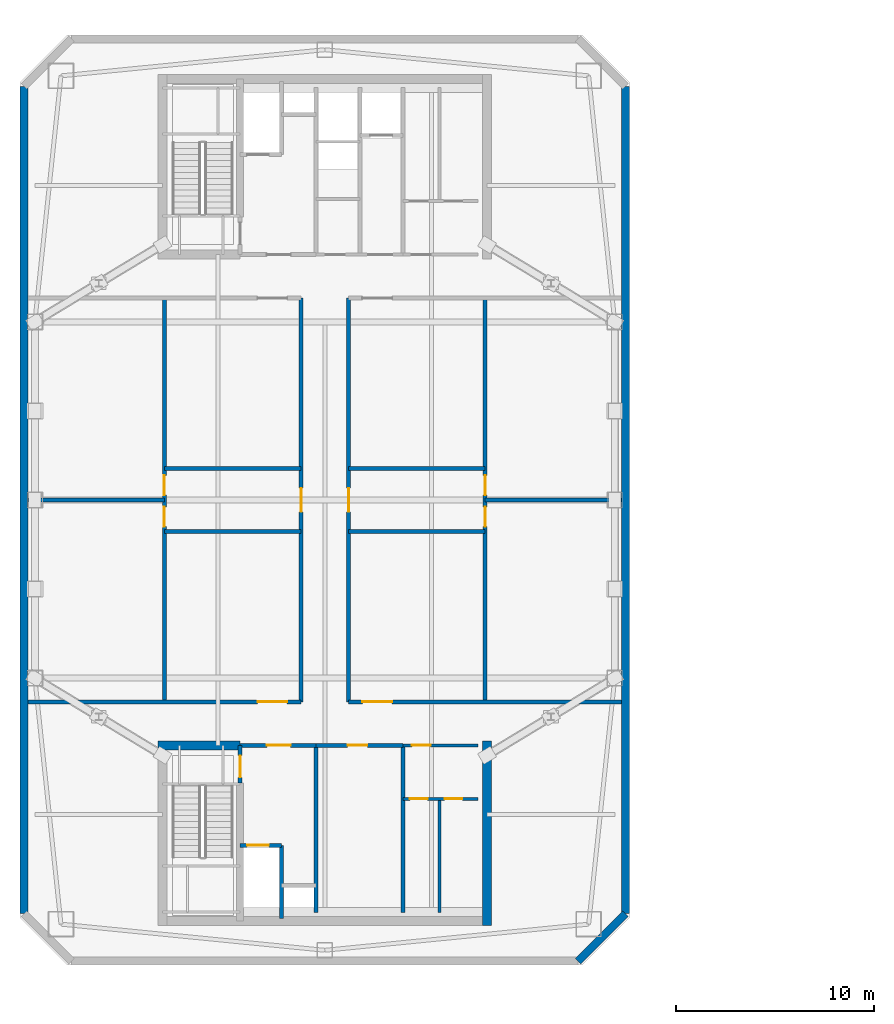
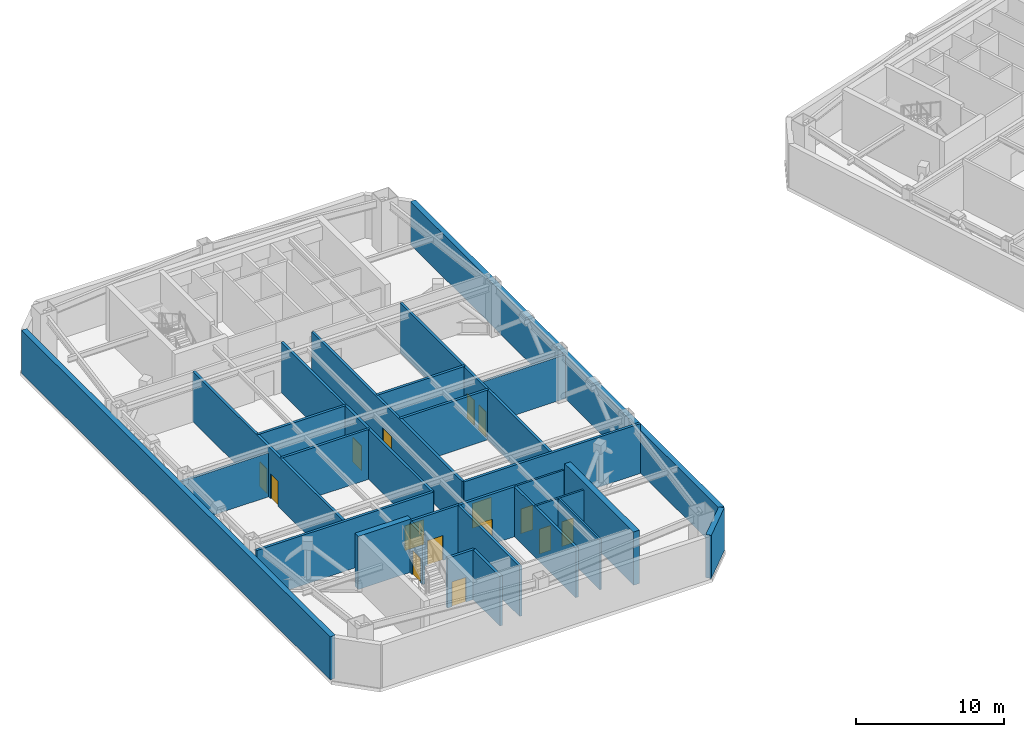
# One storey, part 10 of 17: 27 walls, 15 doors, 15 openings.
"""IFC4 building model written with IfcOpenShell, lengths in metres."""

import ifcopenshell
import ifcopenshell.guid

model = None  # the IFC model being written
_history = None  # IfcOwnerHistory: only IFC2X3 demands one
_inside = {}  # id of a spatial element -> (the spatial element, [elements in it])
_under = {}  # id of a project, library or spatial element -> (it, [spatial elements below it])
_declared = {}  # id of a project -> (the project, [libraries it declares])
_typed = {}  # id of a type object -> (the type object, [elements of that type])
_made_of = {}  # id of a material, layer set ... -> (it, [elements and type objects made of it])


def new_model(schema):
    """Start an empty IFC model of exactly this schema.

    Asked for "IFC4X3", IfcOpenShell would pick the latest addendum, in which some entities
    have other attributes; the version numbers below select the first issue.
    IFC2X3 requires an IfcOwnerHistory on every rooted entity: one is made here for all.
    """
    global model, _history
    if schema == "IFC4X3":
        model = ifcopenshell.file(schema_version=(4, 3, 0, 0))
    else:
        model = ifcopenshell.file(schema=schema)
    _inside.clear()
    _under.clear()
    _declared.clear()
    _typed.clear()
    _made_of.clear()
    _history = None
    if model.schema == "IFC2X3":
        org = make("IfcOrganization", Name="unknown")
        user = make(
            "IfcPersonAndOrganization",
            ThePerson=make("IfcPerson", FamilyName="unknown"),
            TheOrganization=org,
        )
        app = make(
            "IfcApplication",
            ApplicationDeveloper=org,
            Version="unknown",
            ApplicationFullName="unknown",
            ApplicationIdentifier="unknown",
        )
        _history = make(
            "IfcOwnerHistory",
            OwningUser=user,
            OwningApplication=app,
            ChangeAction="ADDED",
            CreationDate=0,
        )
    return model


def make(cls, **values):
    """One entity of the class cls with the attributes given. An attribute that is None is left unset."""
    return model.create_entity(
        cls, **{name: value for name, value in values.items() if value is not None}
    )


def rooted(cls, **values):
    """An entity with a GlobalId (a new one), such as an element, a storey or a relation."""
    return make(cls, GlobalId=ifcopenshell.guid.new(), OwnerHistory=_history, **values)


def si_unit(unit_type, name, prefix=None):
    """IfcSIUnit, for example si_unit("LENGTHUNIT", "METRE", prefix="MILLI")."""
    return make("IfcSIUnit", UnitType=unit_type, Prefix=prefix, Name=name)


def assignment(units):
    """IfcUnitAssignment: the units of a project."""
    return None if units is None else make("IfcUnitAssignment", Units=units)


def point(xyz):
    """IfcCartesianPoint."""
    return None if xyz is None else make("IfcCartesianPoint", Coordinates=xyz)


def direction(xyz):
    """IfcDirection."""
    return None if xyz is None else make("IfcDirection", DirectionRatios=xyz)


def frame(location, z_axis=None, x_axis=None):
    """IfcAxis2Placement3D, a coordinate frame: its origin and axes. An axis left out is left unset."""
    return make(
        "IfcAxis2Placement3D",
        Location=point(location),
        Axis=direction(z_axis),
        RefDirection=direction(x_axis),
    )


def frame_2d(location, x_axis=None):
    """IfcAxis2Placement2D, a coordinate frame in the plane: its origin and x axis."""
    return make(
        "IfcAxis2Placement2D", Location=point(location), RefDirection=direction(x_axis)
    )


def origin():
    """The frame at (0, 0, 0) with its axes left unset."""
    return frame((0.0, 0.0, 0.0))


def place(relative_to, where):
    """IfcLocalPlacement: puts the frame where relative to a parent placement (None: the world)."""
    return make(
        "IfcLocalPlacement", PlacementRelTo=relative_to, RelativePlacement=where
    )


def context(
    kind, dimensions, precision=None, world=None, true_north=None, identifier=None
):
    """IfcGeometricRepresentationContext, for example the 3D "Model" context."""
    return make(
        "IfcGeometricRepresentationContext",
        ContextIdentifier=identifier,
        ContextType=kind,
        CoordinateSpaceDimension=dimensions,
        Precision=precision,
        WorldCoordinateSystem=world,
        TrueNorth=true_north,
    )


def subcontext(parent, identifier, kind, view, scale=None):
    """IfcGeometricRepresentationSubContext, for example "Body" below "Model"."""
    return make(
        "IfcGeometricRepresentationSubContext",
        ContextIdentifier=identifier,
        ContextType=kind,
        ParentContext=parent,
        TargetScale=scale,
        TargetView=view,
    )


def project(units=None, contexts=None):
    """IfcProject with its units and contexts."""
    return rooted(
        "IfcProject",
        Name="project",
        RepresentationContexts=contexts,
        UnitsInContext=assignment(units),
    )


def spatial(cls, under=None, at=None, **own):
    """A site, building, storey or space (cls), placed at a placement, below another one or the project."""
    s = rooted(cls, ObjectPlacement=at, **own)
    if under is not None:
        _under.setdefault(under.id(), (under, []))[1].append(s)
    return s


def profile(cls, at=None, kind="AREA", **sizes):
    """A parametric profile (cls). Its sizes go by their IFC names, for example OverallWidth=200.0."""
    return make(cls, ProfileType=kind, Position=at, **sizes)


def rectangle(**sizes):
    """IfcRectangleProfileDef."""
    return profile("IfcRectangleProfileDef", **sizes)


def extrude(swept, where, along, depth):
    """IfcExtrudedAreaSolid: the profile swept, set in the frame where, extruded along a direction by depth."""
    return make(
        "IfcExtrudedAreaSolid",
        SweptArea=swept,
        Position=where,
        ExtrudedDirection=direction(along),
        Depth=depth,
    )


def shape(context_of_items, identifier, shape_type, items):
    """IfcShapeRepresentation: the items that make up one representation, for example the "Body"."""
    return make(
        "IfcShapeRepresentation",
        ContextOfItems=context_of_items,
        RepresentationIdentifier=identifier,
        RepresentationType=shape_type,
        Items=items,
    )


def material(Name=None, Category=None):
    """IfcMaterial."""
    return make("IfcMaterial", Name=Name, Category=Category)


def layer(
    of_material, thickness, ventilated=None, Name=None, Category=None, Priority=None
):
    """IfcMaterialLayer: one layer of a wall or slab, of a material (None: an air gap)."""
    return make(
        "IfcMaterialLayer",
        Material=of_material,
        LayerThickness=thickness,
        IsVentilated=ventilated,
        Name=Name,
        Category=Category,
        Priority=Priority,
    )


def layer_set(layers, Name=None):
    """IfcMaterialLayerSet."""
    return make("IfcMaterialLayerSet", MaterialLayers=layers, LayerSetName=Name)


def made_of(thing, what):
    """Note that an element or type object is made of a material, layer set ...; save() writes the relation."""
    if what is not None:
        _made_of.setdefault(what.id(), (what, []))[1].append(thing)
    return thing


def type_object(cls, material=None, **own):
    """A type object (cls), such as IfcWallType, which elements share."""
    return made_of(rooted(cls, **own), material)


def element(
    cls,
    number,
    at=None,
    inside=None,
    cuts=None,
    type_object=None,
    material=None,
    context=None,
    identifier="Body",
    shape_type=None,
    held_by="IfcProductDefinitionShape",
    body=None,
    shapes=None,
    **own,
):
    """One element of the class cls, such as IfcWall. Its Tag is "e" and its number.

    at: its placement. inside: the storey or other place that contains it. cuts: it is an
    opening in that element (IfcRelVoidsElement). A single representation is given by context,
    identifier, shape_type and body (its items); several are given by shapes. held_by: the class
    of the entity that holds the representations. save() writes the other relations.
    """
    e = rooted(cls, Tag="e%d" % number, ObjectPlacement=at, **own)
    if body is not None:
        shapes = [shape(context, identifier, shape_type, body)]
    if shapes is not None:
        e.Representation = make(held_by, Representations=shapes)
    if inside is not None:
        _inside.setdefault(inside.id(), (inside, []))[1].append(e)
    if cuts is not None:
        rooted(
            "IfcRelVoidsElement", RelatingBuildingElement=cuts, RelatedOpeningElement=e
        )
    if type_object is not None:
        _typed.setdefault(type_object.id(), (type_object, []))[1].append(e)
    return made_of(e, material)


def fill(opening, filler):
    """IfcRelFillsElement: the door or window that sits in an opening."""
    return rooted(
        "IfcRelFillsElement",
        RelatingOpeningElement=opening,
        RelatedBuildingElement=filler,
    )


def aggregate(whole, parts):
    """IfcRelAggregates: a whole, such as a stair, and the parts it consists of."""
    return rooted("IfcRelAggregates", RelatingObject=whole, RelatedObjects=parts)


def save(model, path):
    """Write the relations noted so far, then the file.

    IfcRelAggregates (storeys below a building ...), IfcRelContainedInSpatialStructure (elements
    in a storey), IfcRelDefinesByType, IfcRelAssociatesMaterial and IfcRelDeclares: one each for
    every whole, place, type object, material and project.
    """
    for whole, parts in _under.values():
        aggregate(whole, parts)
    for where, things in _inside.values():
        rooted(
            "IfcRelContainedInSpatialStructure",
            RelatedElements=things,
            RelatingStructure=where,
        )
    for kind, things in _typed.values():
        rooted("IfcRelDefinesByType", RelatedObjects=things, RelatingType=kind)
    for what, things in _made_of.values():
        rooted("IfcRelAssociatesMaterial", RelatedObjects=things, RelatingMaterial=what)
    for by, libraries in _declared.values():
        rooted("IfcRelDeclares", RelatingContext=by, RelatedDefinitions=libraries)
    model.write(path)


model = new_model("IFC4")

# Units and contexts
model_context = context("Model", 3, precision=1e-05, world=origin(), true_north=direction((0.0, 1.0)))
body_context = subcontext(model_context, "Body", "Model", "MODEL_VIEW")
ifc_project = project(units=[si_unit("LENGTHUNIT", "METRE"), si_unit("AREAUNIT", "SQUARE_METRE"), si_unit("VOLUMEUNIT", "CUBIC_METRE"), si_unit("PLANEANGLEUNIT", "RADIAN"), si_unit("MASSUNIT", "GRAM", prefix="KILO")], contexts=[model_context])

# Site, building, storey
site_placement = place(None, origin())
site = spatial("IfcSite", under=ifc_project, at=site_placement, CompositionType="ELEMENT")
building_placement = place(site_placement, origin())
building = spatial("IfcBuilding", under=site, at=building_placement, Name="Qiaolan Cultural Towers", CompositionType="ELEMENT")
storey_placement = place(building_placement, frame((0.0, 0.0, 230.0)))
storey = spatial("IfcBuildingStorey", under=building, at=storey_placement, Name="L62", CompositionType="ELEMENT", Elevation=230.0)

# Walls
ifc_material_1 = material(Name="Concrete C50", Category="concrete")
ifc_layer_1 = layer(ifc_material_1, 0.449951171875)
ifc_layer_set_1 = layer_set([ifc_layer_1], Name="Concrete C50")
wall_type_1 = type_object("IfcWallType", Name="WL-CORE-450", PredefinedType="SHEAR", material=ifc_layer_set_1)
wall_1_placement = place(storey_placement, frame((38.199951171875, 21.824951171875, 0.0), z_axis=(0.0, 0.0, 1.0), x_axis=(0.0, -1.0, 0.0)))
element("IfcWall", 1, at=wall_1_placement, inside=storey, type_object=wall_type_1, Name="L62 T1-CS East Core Shear Wall", PredefinedType="SHEAR", context=body_context, shape_type="SweptSolid", body=[
    extrude(rectangle(XDim=9.329833984375, YDim=0.449951171875, at=frame_2d((4.6650390625, 0.0))), origin(), (0.0, 0.0, 1.0), 4.39990234375),
])
wall_2_placement = place(storey_placement, frame((21.574951171875, 21.60009765625, 0.0), z_axis=(0.0, 0.0, 1.0), x_axis=(1.0, 0.0, 0.0)))
element("IfcWall", 2, at=wall_2_placement, inside=storey, type_object=wall_type_1, Name="L62 T1-CS Stair Front Shear Wall", PredefinedType="SHEAR", context=body_context, shape_type="SweptSolid", body=[
    extrude(rectangle(XDim=4.14501953125, YDim=0.449951171875, at=frame_2d((2.072509765625, 0.0))), origin(), (0.0, 0.0, 1.0), 4.39990234375),
])
ifc_material_2 = material(Name="Precast Concrete C50 Honed Stone Pier", Category="masonry")
ifc_layer_2 = layer(ifc_material_2, 0.39990234375)
ifc_layer_set_2 = layer_set([ifc_layer_2], Name="Precast Concrete C50 Honed Stone Pier")
wall_type_2 = type_object("IfcWallType", Name="WL-EXT-PIER-400", PredefinedType="SOLIDWALL", material=ifc_layer_set_2)
for number, where, z_axis, x_axis, name in (
    (3, (14.800048828125, 13.10009765625, 0.0), (0.0, 0.0, 1.0), (0.0, 1.0, 0.0), "L62 West Tower Precast Pier Facade Wall F1"),
    (4, (45.199951171875, 54.89990234375, 0.0), (0.0, 0.0, 1.0), (0.0, -1.0, 0.0), "L62 West Tower Precast Pier Facade Wall F5"),
):
    element("IfcWall", number, at=place(storey_placement, frame(where, z_axis=z_axis, x_axis=x_axis)), inside=storey, type_object=wall_type_2, Name=name, PredefinedType="SOLIDWALL", context=body_context, shape_type="SweptSolid", body=[
        extrude(rectangle(XDim=41.7998046875, YDim=0.39990234375, at=frame_2d((20.89990234375, 0.0))), origin(), (0.0, 0.0, 1.0), 3.56005859375),
    ])
wall_3_placement = place(storey_placement, frame((45.199951171875, 13.10009765625, 0.0), z_axis=(0.0, 0.0, 1.0), x_axis=(-0.707070815327, -0.707142745217, 0.0)))
element("IfcWall", 5, at=wall_3_placement, inside=storey, type_object=wall_type_2, Name="L62 West Tower Precast Pier Facade Wall F6", PredefinedType="SOLIDWALL", context=body_context, shape_type="SweptSolid", body=[
    extrude(rectangle(XDim=3.39404296875, YDim=0.39990234375, at=frame_2d((1.697021484375, 0.0))), origin(), (0.0, 0.0, 1.0), 3.56005859375),
])

# Wall, opening, door
ifc_material_3 = material(Name="Concrete C35 Fire Wall", Category="concrete")
ifc_layer_3 = layer(ifc_material_3, 0.199951171875)
ifc_layer_set_3 = layer_set([ifc_layer_3], Name="Concrete C35 Fire Wall")
wall_type_3 = type_object("IfcWallType", Name="WL-FIRE-200", PredefinedType="PARTITIONING", material=ifc_layer_set_3)
wall_4_placement = place(storey_placement, frame((25.719970703125, 21.60009765625, 0.0), z_axis=(0.0, 0.0, 1.0), x_axis=(0.0, -1.0, 0.0)))
wall_4 = element("IfcWall", 6, at=wall_4_placement, inside=storey, type_object=wall_type_3, Name="L62 T1-CS Smokeproof Stair Entry Wall", PredefinedType="PARTITIONING", context=body_context, shape_type="SweptSolid", body=[
    extrude(rectangle(XDim=1.900146484375, YDim=0.199951171875, at=frame_2d((0.9501953125, 0.0))), origin(), (0.0, 0.0, 1.0), 4.125),
])
opening_1_placement = place(wall_4_placement, frame((0.52001953125, 0.0, 0.0)))
opening_1 = element("IfcOpeningElement", 7, at=opening_1_placement, cuts=wall_4, Name="Opening FD-04", PredefinedType="OPENING", context=body_context, shape_type="SweptSolid", body=[
    extrude(rectangle(XDim=1.10009765625, YDim=2.050048828125, at=frame_2d((0.550048828125, 1.02490234375))), frame((0.0, 0.10986328125, 0.0), z_axis=(0.0, -1.0, 0.0), x_axis=(1.0, 0.0, 0.0)), (0.0, 0.0, 1.0), 0.219970703125),
])
ifc_material_4 = material(Name="Galvanized Steel Command Fire Door", Category="steel")
door_type_1 = type_object("IfcDoorType", Name="DR-FD90-1100", OperationType="NOTDEFINED", PredefinedType="DOOR", material=ifc_material_4)
door_1_placement = place(opening_1_placement, origin())
door_1 = element("IfcDoor", 8, at=door_1_placement, inside=storey, type_object=door_type_1, Name="L62 ST-W1 Smokeproof Stair Fire Door", OperationType="SINGLE_SWING_LEFT", OverallHeight=2.050048828125, OverallWidth=1.10009765625, PredefinedType="DOOR", context=body_context, shape_type="SweptSolid", body=[
    extrude(rectangle(XDim=1.10009765625, YDim=2.050048828125, at=frame_2d((0.550048828125, 1.02490234375))), frame((0.0, 0.02490234375, 0.0), z_axis=(0.0, -1.0, 0.0), x_axis=(1.0, 0.0, 0.0)), (0.0, 0.0, 1.0), 0.050048828125),
])
fill(opening_1, door_1)

# Wall
wall_5_placement = place(storey_placement, frame((29.550048828125, 21.60009765625, 0.0), z_axis=(0.0, 0.0, 1.0), x_axis=(0.0, -1.0, 0.0)))
element("IfcWall", 9, at=wall_5_placement, inside=storey, type_object=wall_type_3, Name="L62 T1-CS Firefighting Zone Wall", PredefinedType="PARTITIONING", context=body_context, shape_type="SweptSolid", body=[
    extrude(rectangle(XDim=8.43017578125, YDim=0.199951171875, at=frame_2d((4.215087890625, 0.0))), origin(), (0.0, 0.0, 1.0), 4.125),
])

# Wall, opening, door
wall_6_placement = place(storey_placement, frame((25.719970703125, 21.60009765625, 0.0), z_axis=(0.0, 0.0, 1.0), x_axis=(1.0, 0.0, 0.0)))
wall_6 = element("IfcWall", 10, at=wall_6_placement, inside=storey, type_object=wall_type_3, Name="L62 T1-CS Firefighting Lobby Front Wall", PredefinedType="PARTITIONING", context=body_context, shape_type="SweptSolid", body=[
    extrude(rectangle(XDim=3.830078125, YDim=0.199951171875, at=frame_2d((1.9150390625, 0.0))), origin(), (0.0, 0.0, 1.0), 4.125),
])
opening_2_placement = place(wall_6_placement, frame((1.35009765625, 0.0, 0.0)))
opening_2 = element("IfcOpeningElement", 11, at=opening_2_placement, cuts=wall_6, Name="Opening FD-03", PredefinedType="OPENING", context=body_context, shape_type="SweptSolid", body=[
    extrude(rectangle(XDim=1.199951171875, YDim=2.050048828125, at=frame_2d((0.60009765625, 1.02490234375))), frame((0.0, 0.10986328125, 0.0), z_axis=(0.0, -1.0, 0.0), x_axis=(1.0, 0.0, 0.0)), (0.0, 0.0, 1.0), 0.219970703125),
])
ifc_material_5 = material(Name="Galvanized Steel Smokeproof Lobby Fire Door", Category="steel")
door_type_2 = type_object("IfcDoorType", Name="DR-FD90-1200", OperationType="NOTDEFINED", PredefinedType="DOOR", material=ifc_material_5)
door_2_placement = place(opening_2_placement, origin())
door_2 = element("IfcDoor", 12, at=door_2_placement, inside=storey, type_object=door_type_2, Name="L62 FFL-W1 Firefighting Lobby Fire Door", OperationType="SINGLE_SWING_LEFT", OverallHeight=2.050048828125, OverallWidth=1.199951171875, PredefinedType="DOOR", context=body_context, shape_type="SweptSolid", body=[
    extrude(rectangle(XDim=1.199951171875, YDim=2.050048828125, at=frame_2d((0.60009765625, 1.02490234375))), frame((0.0, 0.02490234375, 0.0), z_axis=(0.0, -1.0, 0.0), x_axis=(1.0, 0.0, 0.0)), (0.0, 0.0, 1.0), 0.050048828125),
])
fill(opening_2, door_2)

wall_7_placement = place(storey_placement, frame((25.719970703125, 16.550048828125, 0.0), z_axis=(0.0, 0.0, 1.0), x_axis=(1.0, 0.0, 0.0)))
wall_7 = element("IfcWall", 13, at=wall_7_placement, inside=storey, type_object=wall_type_3, Name="L62 T1-CS Firefighting Shaft Front Wall", PredefinedType="PARTITIONING", context=body_context, shape_type="SweptSolid", body=[
    extrude(rectangle(XDim=2.10009765625, YDim=0.199951171875, at=frame_2d((1.050048828125, 0.0))), origin(), (0.0, 0.0, 1.0), 4.125),
])
opening_3_placement = place(wall_7_placement, frame((0.35009765625, 0.0, 0.0)))
opening_3 = element("IfcOpeningElement", 14, at=opening_3_placement, cuts=wall_7, Name="Opening LD-01", PredefinedType="OPENING", context=body_context, shape_type="SweptSolid", body=[
    extrude(rectangle(XDim=1.10009765625, YDim=2.050048828125, at=frame_2d((0.550048828125, 1.02490234375))), frame((0.0, 0.10986328125, 0.0), z_axis=(0.0, -1.0, 0.0), x_axis=(1.0, 0.0, 0.0)), (0.0, 0.0, 1.0), 0.219970703125),
])
ifc_material_6 = material(Name="Brushed Stainless Steel S30408 Centre-Parting Lift Landing Door", Category="steel")
door_type_3 = type_object("IfcDoorType", Name="DR-LIFT-1100", OperationType="NOTDEFINED", PredefinedType="DOOR", material=ifc_material_6)
door_3_placement = place(opening_3_placement, origin())
door_3 = element("IfcDoor", 15, at=door_3_placement, inside=storey, type_object=door_type_3, Name="L62 FFL-W1 Firefighting Lift Landing Door", OperationType="DOUBLE_DOOR_SLIDING", OverallHeight=2.050048828125, OverallWidth=1.10009765625, PredefinedType="DOOR", context=body_context, shape_type="SweptSolid", body=[
    extrude(rectangle(XDim=1.10009765625, YDim=2.050048828125, at=frame_2d((0.550048828125, 1.02490234375))), frame((0.0, 0.02490234375, 0.0), z_axis=(0.0, -1.0, 0.0), x_axis=(1.0, 0.0, 0.0)), (0.0, 0.0, 1.0), 0.050048828125),
])
fill(opening_3, door_3)

# Walls
wall_8_placement = place(storey_placement, frame((27.820068359375, 16.550048828125, 0.0), z_axis=(0.0, 0.0, 1.0), x_axis=(0.0, -1.0, 0.0)))
element("IfcWall", 16, at=wall_8_placement, inside=storey, type_object=wall_type_3, Name="L62 T1-CS Firefighting Hoistway East Wall", PredefinedType="PARTITIONING", context=body_context, shape_type="SweptSolid", body=[
    extrude(rectangle(XDim=3.699951171875, YDim=0.199951171875, at=frame_2d((1.85009765625, 0.0))), origin(), (0.0, 0.0, 1.0), 4.125),
])
wall_9_placement = place(storey_placement, frame((33.949951171875, 21.60009765625, 0.0), z_axis=(0.0, 0.0, 1.0), x_axis=(0.0, -1.0, 0.0)))
element("IfcWall", 17, at=wall_9_placement, inside=storey, type_object=wall_type_3, Name="L62 T1-CS Lift Core East Wall", PredefinedType="PARTITIONING", context=body_context, shape_type="SweptSolid", body=[
    extrude(rectangle(XDim=8.43017578125, YDim=0.199951171875, at=frame_2d((4.215087890625, 0.0))), origin(), (0.0, 0.0, 1.0), 4.125),
])

# Wall, opening, door
wall_10_placement = place(storey_placement, frame((29.550048828125, 21.60009765625, 0.0), z_axis=(0.0, 0.0, 1.0), x_axis=(1.0, 0.0, 0.0)))
wall_10 = element("IfcWall", 18, at=wall_10_placement, inside=storey, type_object=wall_type_3, Name="L62 T1-CS Refuge Core Riser Wall", PredefinedType="PARTITIONING", context=body_context, shape_type="SweptSolid", body=[
    extrude(rectangle(XDim=4.39990234375, YDim=0.199951171875, at=frame_2d((2.199951171875, 0.0))), origin(), (0.0, 0.0, 1.0), 4.125),
])
opening_4_placement = place(wall_10_placement, frame((1.60009765625, 0.0, 0.0)))
opening_4 = element("IfcOpeningElement", 19, at=opening_4_placement, cuts=wall_10, Name="Opening FD-07", PredefinedType="OPENING", context=body_context, shape_type="SweptSolid", body=[
    extrude(rectangle(XDim=1.0, YDim=2.050048828125, at=frame_2d((0.5, 1.02490234375))), frame((0.0, 0.10986328125, 0.0), z_axis=(0.0, -1.0, 0.0), x_axis=(1.0, 0.0, 0.0)), (0.0, 0.0, 1.0), 0.219970703125),
])
ifc_material_7 = material(Name="Painted Steel Riser Fire Door", Category="steel")
door_type_4 = type_object("IfcDoorType", Name="DR-FD60-1000", OperationType="NOTDEFINED", PredefinedType="DOOR", material=ifc_material_7)
door_4_placement = place(opening_4_placement, origin())
door_4 = element("IfcDoor", 20, at=door_4_placement, inside=storey, type_object=door_type_4, Name="L62 Core Plant Room Door", OperationType="SINGLE_SWING_LEFT", OverallHeight=2.050048828125, OverallWidth=1.0, PredefinedType="DOOR", context=body_context, shape_type="SweptSolid", body=[
    extrude(rectangle(XDim=1.0, YDim=2.050048828125, at=frame_2d((0.5, 1.02490234375))), frame((0.0, 0.02490234375, 0.0), z_axis=(0.0, -1.0, 0.0), x_axis=(1.0, 0.0, 0.0)), (0.0, 0.0, 1.0), 0.050048828125),
])
fill(opening_4, door_4)

wall_11_placement = place(storey_placement, frame((15.0, 23.800048828125, 0.0), z_axis=(0.0, 0.0, 1.0), x_axis=(1.0, 0.0, 0.0)))
wall_11 = element("IfcWall", 21, at=wall_11_placement, inside=storey, type_object=wall_type_3, Name="L62 T1 Fire Rated Plant/Refuge Wall SBW", PredefinedType="PARTITIONING", context=body_context, shape_type="SweptSolid", body=[
    extrude(rectangle(XDim=13.800048828125, YDim=0.199951171875, at=frame_2d((6.89990234375, 0.0))), origin(), (0.0, 0.0, 1.0), 4.125),
])
opening_5_placement = place(wall_11_placement, frame((11.60009765625, 0.0, 0.0)))
opening_5 = element("IfcOpeningElement", 22, at=opening_5_placement, cuts=wall_11, Name="Opening FD-02", PredefinedType="OPENING", context=body_context, shape_type="SweptSolid", body=[
    extrude(rectangle(XDim=1.5, YDim=2.050048828125, at=frame_2d((0.75, 1.02490234375))), frame((0.0, 0.10986328125, 0.0), z_axis=(0.0, -1.0, 0.0), x_axis=(1.0, 0.0, 0.0)), (0.0, 0.0, 1.0), 0.219970703125),
])
ifc_material_8 = material(Name="Galvanized Steel Double Fire Door", Category="steel")
door_type_5 = type_object("IfcDoorType", Name="DR-FD90-1500", OperationType="NOTDEFINED", PredefinedType="DOOR", material=ifc_material_8)
door_5_placement = place(opening_5_placement, origin())
door_5 = element("IfcDoor", 23, at=door_5_placement, inside=storey, type_object=door_type_5, Name="L62 T1 West South Refuge Fire Door", OperationType="SINGLE_SWING_LEFT", OverallHeight=2.050048828125, OverallWidth=1.5, PredefinedType="DOOR", context=body_context, shape_type="SweptSolid", body=[
    extrude(rectangle(XDim=1.5, YDim=2.050048828125, at=frame_2d((0.75, 1.02490234375))), frame((0.0, 0.02490234375, 0.0), z_axis=(0.0, -1.0, 0.0), x_axis=(1.0, 0.0, 0.0)), (0.0, 0.0, 1.0), 0.050048828125),
])
fill(opening_5, door_5)

wall_12_placement = place(storey_placement, frame((31.199951171875, 23.800048828125, 0.0), z_axis=(0.0, 0.0, 1.0), x_axis=(1.0, 0.0, 0.0)))
wall_12 = element("IfcWall", 24, at=wall_12_placement, inside=storey, type_object=wall_type_3, Name="L62 T1 Fire Rated Plant/Refuge Wall SBE", PredefinedType="PARTITIONING", context=body_context, shape_type="SweptSolid", body=[
    extrude(rectangle(XDim=13.800048828125, YDim=0.199951171875, at=frame_2d((6.89990234375, 0.0))), origin(), (0.0, 0.0, 1.0), 4.125),
])
opening_6_placement = place(wall_12_placement, frame((0.699951171875, 0.0, 0.0)))
opening_6 = element("IfcOpeningElement", 25, at=opening_6_placement, cuts=wall_12, Name="Opening FD-02", PredefinedType="OPENING", context=body_context, shape_type="SweptSolid", body=[
    extrude(rectangle(XDim=1.5, YDim=2.050048828125, at=frame_2d((0.75, 1.02490234375))), frame((0.0, 0.10986328125, 0.0), z_axis=(0.0, -1.0, 0.0), x_axis=(1.0, 0.0, 0.0)), (0.0, 0.0, 1.0), 0.219970703125),
])
door_6_placement = place(opening_6_placement, origin())
door_6 = element("IfcDoor", 26, at=door_6_placement, inside=storey, type_object=door_type_5, Name="L62 T1 East South Refuge Fire Door", OperationType="SINGLE_SWING_RIGHT", OverallHeight=2.050048828125, OverallWidth=1.5, PredefinedType="DOOR", context=body_context, shape_type="SweptSolid", body=[
    extrude(rectangle(XDim=1.5, YDim=2.050048828125, at=frame_2d((0.75, 1.02490234375))), frame((0.0, 0.02490234375, 0.0), z_axis=(0.0, -1.0, 0.0), x_axis=(1.0, 0.0, 0.0)), (0.0, 0.0, 1.0), 0.050048828125),
])
fill(opening_6, door_6)

wall_13_placement = place(storey_placement, frame((28.800048828125, 23.800048828125, 0.0), z_axis=(0.0, 0.0, 1.0), x_axis=(0.0, 1.0, 0.0)))
wall_13 = element("IfcWall", 27, at=wall_13_placement, inside=storey, type_object=wall_type_3, Name="L62 T1 Fire Rated Plant/Refuge Wall CL", PredefinedType="PARTITIONING", context=body_context, shape_type="SweptSolid", body=[
    extrude(rectangle(XDim=20.39990234375, YDim=0.199951171875, at=frame_2d((10.199951171875, 0.0))), origin(), (0.0, 0.0, 1.0), 4.125),
])
opening_7_placement = place(wall_13_placement, frame((9.60009765625, 0.0, 0.0)))
opening_7 = element("IfcOpeningElement", 28, at=opening_7_placement, cuts=wall_13, Name="Opening FD-03", PredefinedType="OPENING", context=body_context, shape_type="SweptSolid", body=[
    extrude(rectangle(XDim=1.199951171875, YDim=2.050048828125, at=frame_2d((0.60009765625, 1.02490234375))), frame((0.0, 0.10986328125, 0.0), z_axis=(0.0, -1.0, 0.0), x_axis=(1.0, 0.0, 0.0)), (0.0, 0.0, 1.0), 0.219970703125),
])
door_7_placement = place(opening_7_placement, origin())
door_7 = element("IfcDoor", 29, at=door_7_placement, inside=storey, type_object=door_type_2, Name="L62 T1 West Plant Passage Door", OperationType="SINGLE_SWING_LEFT", OverallHeight=2.050048828125, OverallWidth=1.199951171875, PredefinedType="DOOR", context=body_context, shape_type="SweptSolid", body=[
    extrude(rectangle(XDim=1.199951171875, YDim=2.050048828125, at=frame_2d((0.60009765625, 1.02490234375))), frame((0.0, 0.02490234375, 0.0), z_axis=(0.0, -1.0, 0.0), x_axis=(1.0, 0.0, 0.0)), (0.0, 0.0, 1.0), 0.050048828125),
])
fill(opening_7, door_7)

wall_14_placement = place(storey_placement, frame((31.199951171875, 23.800048828125, 0.0), z_axis=(0.0, 0.0, 1.0), x_axis=(0.0, 1.0, 0.0)))
wall_14 = element("IfcWall", 30, at=wall_14_placement, inside=storey, type_object=wall_type_3, Name="L62 T1 Fire Rated Plant/Refuge Wall CR", PredefinedType="PARTITIONING", context=body_context, shape_type="SweptSolid", body=[
    extrude(rectangle(XDim=20.39990234375, YDim=0.199951171875, at=frame_2d((10.199951171875, 0.0))), origin(), (0.0, 0.0, 1.0), 4.125),
])
opening_8_placement = place(wall_14_placement, frame((9.60009765625, 0.0, 0.0)))
opening_8 = element("IfcOpeningElement", 31, at=opening_8_placement, cuts=wall_14, Name="Opening FD-03", PredefinedType="OPENING", context=body_context, shape_type="SweptSolid", body=[
    extrude(rectangle(XDim=1.199951171875, YDim=2.050048828125, at=frame_2d((0.60009765625, 1.02490234375))), frame((0.0, 0.10986328125, 0.0), z_axis=(0.0, -1.0, 0.0), x_axis=(1.0, 0.0, 0.0)), (0.0, 0.0, 1.0), 0.219970703125),
])
door_8_placement = place(opening_8_placement, origin())
door_8 = element("IfcDoor", 32, at=door_8_placement, inside=storey, type_object=door_type_2, Name="L62 T1 East Plant Passage Door", OperationType="SINGLE_SWING_RIGHT", OverallHeight=2.050048828125, OverallWidth=1.199951171875, PredefinedType="DOOR", context=body_context, shape_type="SweptSolid", body=[
    extrude(rectangle(XDim=1.199951171875, YDim=2.050048828125, at=frame_2d((0.60009765625, 1.02490234375))), frame((0.0, 0.02490234375, 0.0), z_axis=(0.0, -1.0, 0.0), x_axis=(1.0, 0.0, 0.0)), (0.0, 0.0, 1.0), 0.050048828125),
])
fill(opening_8, door_8)

# Wall, openings, doors
wall_15_placement = place(storey_placement, frame((21.89990234375, 23.800048828125, 0.0), z_axis=(0.0, 0.0, 1.0), x_axis=(0.0, 1.0, 0.0)))
wall_15 = element("IfcWall", 33, at=wall_15_placement, inside=storey, type_object=wall_type_3, Name="L62 T1 Fire Rated Plant/Refuge Wall WL", PredefinedType="PARTITIONING", context=body_context, shape_type="SweptSolid", body=[
    extrude(rectangle(XDim=20.39990234375, YDim=0.199951171875, at=frame_2d((10.199951171875, 0.0))), origin(), (0.0, 0.0, 1.0), 4.125),
])
opening_9_placement = place(wall_15_placement, frame((8.85009765625, 0.0, 0.0)))
opening_9 = element("IfcOpeningElement", 34, at=opening_9_placement, cuts=wall_15, Name="Opening FD-07", PredefinedType="OPENING", context=body_context, shape_type="SweptSolid", body=[
    extrude(rectangle(XDim=1.0, YDim=2.050048828125, at=frame_2d((0.5, 1.02490234375))), frame((0.0, 0.10986328125, 0.0), z_axis=(0.0, -1.0, 0.0), x_axis=(1.0, 0.0, 0.0)), (0.0, 0.0, 1.0), 0.219970703125),
])
opening_10_placement = place(wall_15_placement, frame((10.449951171875, 0.0, 0.0)))
opening_10 = element("IfcOpeningElement", 35, at=opening_10_placement, cuts=wall_15, Name="Opening FD-07", PredefinedType="OPENING", context=body_context, shape_type="SweptSolid", body=[
    extrude(rectangle(XDim=1.0, YDim=2.050048828125, at=frame_2d((0.5, 1.02490234375))), frame((0.0, 0.10986328125, 0.0), z_axis=(0.0, -1.0, 0.0), x_axis=(1.0, 0.0, 0.0)), (0.0, 0.0, 1.0), 0.219970703125),
])
door_9_placement = place(opening_9_placement, origin())
door_9 = element("IfcDoor", 36, at=door_9_placement, inside=storey, type_object=door_type_4, Name="L62 T1 West Chiller Plant Door", OperationType="SINGLE_SWING_LEFT", OverallHeight=2.050048828125, OverallWidth=1.0, PredefinedType="DOOR", context=body_context, shape_type="SweptSolid", body=[
    extrude(rectangle(XDim=1.0, YDim=2.050048828125, at=frame_2d((0.5, 1.02490234375))), frame((0.0, 0.02490234375, 0.0), z_axis=(0.0, -1.0, 0.0), x_axis=(1.0, 0.0, 0.0)), (0.0, 0.0, 1.0), 0.050048828125),
])
fill(opening_9, door_9)
door_10_placement = place(opening_10_placement, origin())
door_10 = element("IfcDoor", 37, at=door_10_placement, inside=storey, type_object=door_type_4, Name="L62 T1 West Fire Water Pump Plant Door", OperationType="SINGLE_SWING_RIGHT", OverallHeight=2.050048828125, OverallWidth=1.0, PredefinedType="DOOR", context=body_context, shape_type="SweptSolid", body=[
    extrude(rectangle(XDim=1.0, YDim=2.050048828125, at=frame_2d((0.5, 1.02490234375))), frame((0.0, 0.02490234375, 0.0), z_axis=(0.0, -1.0, 0.0), x_axis=(1.0, 0.0, 0.0)), (0.0, 0.0, 1.0), 0.050048828125),
])
fill(opening_10, door_10)

wall_16_placement = place(storey_placement, frame((38.10009765625, 23.800048828125, 0.0), z_axis=(0.0, 0.0, 1.0), x_axis=(0.0, 1.0, 0.0)))
wall_16 = element("IfcWall", 38, at=wall_16_placement, inside=storey, type_object=wall_type_3, Name="L62 T1 Fire Rated Plant/Refuge Wall ER", PredefinedType="PARTITIONING", context=body_context, shape_type="SweptSolid", body=[
    extrude(rectangle(XDim=20.39990234375, YDim=0.199951171875, at=frame_2d((10.199951171875, 0.0))), origin(), (0.0, 0.0, 1.0), 4.125),
])
opening_11_placement = place(wall_16_placement, frame((8.85009765625, 0.0, 0.0)))
opening_11 = element("IfcOpeningElement", 39, at=opening_11_placement, cuts=wall_16, Name="Opening FD-07", PredefinedType="OPENING", context=body_context, shape_type="SweptSolid", body=[
    extrude(rectangle(XDim=1.0, YDim=2.050048828125, at=frame_2d((0.5, 1.02490234375))), frame((0.0, 0.10986328125, 0.0), z_axis=(0.0, -1.0, 0.0), x_axis=(1.0, 0.0, 0.0)), (0.0, 0.0, 1.0), 0.219970703125),
])
opening_12_placement = place(wall_16_placement, frame((10.449951171875, 0.0, 0.0)))
opening_12 = element("IfcOpeningElement", 40, at=opening_12_placement, cuts=wall_16, Name="Opening FD-07", PredefinedType="OPENING", context=body_context, shape_type="SweptSolid", body=[
    extrude(rectangle(XDim=1.0, YDim=2.050048828125, at=frame_2d((0.5, 1.02490234375))), frame((0.0, 0.10986328125, 0.0), z_axis=(0.0, -1.0, 0.0), x_axis=(1.0, 0.0, 0.0)), (0.0, 0.0, 1.0), 0.219970703125),
])
door_11_placement = place(opening_11_placement, origin())
door_11 = element("IfcDoor", 41, at=door_11_placement, inside=storey, type_object=door_type_4, Name="L62 T1 East AHU Plant Door", OperationType="SINGLE_SWING_LEFT", OverallHeight=2.050048828125, OverallWidth=1.0, PredefinedType="DOOR", context=body_context, shape_type="SweptSolid", body=[
    extrude(rectangle(XDim=1.0, YDim=2.050048828125, at=frame_2d((0.5, 1.02490234375))), frame((0.0, 0.02490234375, 0.0), z_axis=(0.0, -1.0, 0.0), x_axis=(1.0, 0.0, 0.0)), (0.0, 0.0, 1.0), 0.050048828125),
])
fill(opening_11, door_11)
door_12_placement = place(opening_12_placement, origin())
door_12 = element("IfcDoor", 42, at=door_12_placement, inside=storey, type_object=door_type_4, Name="L62 T1 East Electrical Substation Door", OperationType="SINGLE_SWING_RIGHT", OverallHeight=2.050048828125, OverallWidth=1.0, PredefinedType="DOOR", context=body_context, shape_type="SweptSolid", body=[
    extrude(rectangle(XDim=1.0, YDim=2.050048828125, at=frame_2d((0.5, 1.02490234375))), frame((0.0, 0.02490234375, 0.0), z_axis=(0.0, -1.0, 0.0), x_axis=(1.0, 0.0, 0.0)), (0.0, 0.0, 1.0), 0.050048828125),
])
fill(opening_12, door_12)

# Walls
for number, where, z_axis, x_axis, name in (
    (43, (15.0, 34.0, 0.0), (0.0, 0.0, 1.0), (1.0, 0.0, 0.0), "L62 T1 Fire Rated Plant/Refuge Wall WMID"),
    (44, (38.10009765625, 34.0, 0.0), (0.0, 0.0, 1.0), (1.0, 0.0, 0.0), "L62 T1 Fire Rated Plant/Refuge Wall EMID"),
):
    element("IfcWall", number, at=place(storey_placement, frame(where, z_axis=z_axis, x_axis=x_axis)), inside=storey, type_object=wall_type_3, Name=name, PredefinedType="PARTITIONING", context=body_context, shape_type="SweptSolid", body=[
        extrude(rectangle(XDim=6.89990234375, YDim=0.199951171875, at=frame_2d((3.449951171875, 0.0))), origin(), (0.0, 0.0, 1.0), 3.626953125),
    ])
for number, where, z_axis, x_axis, name in (
    (45, (21.89990234375, 32.39990234375, 0.0), (0.0, 0.0, 1.0), (1.0, 0.0, 0.0), "L62 T1 Fire Rated Plant/Refuge Wall SVS-WL"),
    (46, (21.89990234375, 35.60009765625, 0.0), (0.0, 0.0, 1.0), (1.0, 0.0, 0.0), "L62 T1 Fire Rated Plant/Refuge Wall SVS-NL"),
    (47, (31.199951171875, 32.39990234375, 0.0), (0.0, 0.0, 1.0), (1.0, 0.0, 0.0), "L62 T1 Fire Rated Plant/Refuge Wall SVS-WR"),
    (48, (31.199951171875, 35.60009765625, 0.0), (0.0, 0.0, 1.0), (1.0, 0.0, 0.0), "L62 T1 Fire Rated Plant/Refuge Wall SVS-NR"),
):
    element("IfcWall", number, at=place(storey_placement, frame(where, z_axis=z_axis, x_axis=x_axis)), inside=storey, type_object=wall_type_3, Name=name, PredefinedType="PARTITIONING", context=body_context, shape_type="SweptSolid", body=[
        extrude(rectangle(XDim=6.900146484375, YDim=0.199951171875, at=frame_2d((3.4501953125, 0.0))), origin(), (0.0, 0.0, 1.0), 4.125),
    ])

# Wall, opening, door
ifc_material_9 = material(Name="Autoclaved Aerated Concrete Block B06", Category="concrete")
ifc_layer_4 = layer(ifc_material_9, 0.14990234375)
ifc_layer_set_4 = layer_set([ifc_layer_4], Name="Autoclaved Aerated Concrete Block B06")
wall_type_4 = type_object("IfcWallType", Name="WL-PART-150", PredefinedType="PARTITIONING", material=ifc_layer_set_4)
wall_17_placement = place(storey_placement, frame((33.949951171875, 21.60009765625, 0.0), z_axis=(0.0, 0.0, 1.0), x_axis=(1.0, 0.0, 0.0)))
wall_17 = element("IfcWall", 49, at=wall_17_placement, inside=storey, type_object=wall_type_4, Name="L62 T1-CS Sanitary Core Front Wall", PredefinedType="PARTITIONING", context=body_context, shape_type="SweptSolid", body=[
    extrude(rectangle(XDim=3.800048828125, YDim=0.14990234375, at=frame_2d((1.89990234375, 0.0))), origin(), (0.0, 0.0, 1.0), 4.125),
])
opening_13_placement = place(wall_17_placement, frame((0.449951171875, 0.0, 0.0)))
opening_13 = element("IfcOpeningElement", 50, at=opening_13_placement, cuts=wall_17, Name="Opening ID-05", PredefinedType="OPENING", context=body_context, shape_type="SweptSolid", body=[
    extrude(rectangle(XDim=0.949951171875, YDim=2.050048828125, at=frame_2d((0.47509765625, 1.02490234375))), frame((0.0, 0.0849609375, 0.0), z_axis=(0.0, -1.0, 0.0), x_axis=(1.0, 0.0, 0.0)), (0.0, 0.0, 1.0), 0.169921875),
])
ifc_material_10 = material(Name="Fire-Rated Laminate Accessible Core Door", Category="timber")
door_type_6 = type_object("IfcDoorType", Name="DR-INT-950", OperationType="NOTDEFINED", PredefinedType="DOOR", material=ifc_material_10)
door_13_placement = place(opening_13_placement, origin())
door_13 = element("IfcDoor", 51, at=door_13_placement, inside=storey, type_object=door_type_6, Name="L62 Sanitary Vestibule Door", OperationType="SINGLE_SWING_LEFT", OverallHeight=2.050048828125, OverallWidth=0.949951171875, PredefinedType="DOOR", context=body_context, shape_type="SweptSolid", body=[
    extrude(rectangle(XDim=0.949951171875, YDim=2.050048828125, at=frame_2d((0.47509765625, 1.02490234375))), frame((0.0, 0.02490234375, 0.0), z_axis=(0.0, -1.0, 0.0), x_axis=(1.0, 0.0, 0.0)), (0.0, 0.0, 1.0), 0.050048828125),
])
fill(opening_13, door_13)

# Wall, openings, doors
wall_18_placement = place(storey_placement, frame((33.949951171875, 18.89990234375, 0.0), z_axis=(0.0, 0.0, 1.0), x_axis=(1.0, 0.0, 0.0)))
wall_18 = element("IfcWall", 52, at=wall_18_placement, inside=storey, type_object=wall_type_4, Name="L62 T1-CS Restroom Vestibule Wall", PredefinedType="PARTITIONING", context=body_context, shape_type="SweptSolid", body=[
    extrude(rectangle(XDim=3.800048828125, YDim=0.14990234375, at=frame_2d((1.89990234375, 0.0))), origin(), (0.0, 0.0, 1.0), 4.125),
])
opening_14_placement = place(wall_18_placement, frame((0.35009765625, 0.0, 0.0)))
opening_14 = element("IfcOpeningElement", 53, at=opening_14_placement, cuts=wall_18, Name="Opening ID-06", PredefinedType="OPENING", context=body_context, shape_type="SweptSolid", body=[
    extrude(rectangle(XDim=0.89990234375, YDim=2.050048828125, at=frame_2d((0.449951171875, 1.02490234375))), frame((0.0, 0.0849609375, 0.0), z_axis=(0.0, -1.0, 0.0), x_axis=(1.0, 0.0, 0.0)), (0.0, 0.0, 1.0), 0.169921875),
])
opening_15_placement = place(wall_18_placement, frame((2.10009765625, 0.0, 0.0)))
opening_15 = element("IfcOpeningElement", 54, at=opening_15_placement, cuts=wall_18, Name="Opening ID-06", PredefinedType="OPENING", context=body_context, shape_type="SweptSolid", body=[
    extrude(rectangle(XDim=0.89990234375, YDim=2.050048828125, at=frame_2d((0.449951171875, 1.02490234375))), frame((0.0, 0.0849609375, 0.0), z_axis=(0.0, -1.0, 0.0), x_axis=(1.0, 0.0, 0.0)), (0.0, 0.0, 1.0), 0.169921875),
])
ifc_material_11 = material(Name="Fire-Rated Laminate Core Service Door", Category="timber")
door_type_7 = type_object("IfcDoorType", Name="DR-INT-900", OperationType="NOTDEFINED", PredefinedType="DOOR", material=ifc_material_11)
door_14_placement = place(opening_14_placement, origin())
door_14 = element("IfcDoor", 55, at=door_14_placement, inside=storey, type_object=door_type_7, Name="L62 Men Restroom Door", OperationType="SINGLE_SWING_LEFT", OverallHeight=2.050048828125, OverallWidth=0.89990234375, PredefinedType="DOOR", context=body_context, shape_type="SweptSolid", body=[
    extrude(rectangle(XDim=0.89990234375, YDim=2.050048828125, at=frame_2d((0.449951171875, 1.02490234375))), frame((0.0, 0.02490234375, 0.0), z_axis=(0.0, -1.0, 0.0), x_axis=(1.0, 0.0, 0.0)), (0.0, 0.0, 1.0), 0.050048828125),
])
fill(opening_14, door_14)
door_15_placement = place(opening_15_placement, origin())
door_15 = element("IfcDoor", 56, at=door_15_placement, inside=storey, type_object=door_type_7, Name="L62 Accessible & Women Restroom Door", OperationType="SINGLE_SWING_RIGHT", OverallHeight=2.050048828125, OverallWidth=0.89990234375, PredefinedType="DOOR", context=body_context, shape_type="SweptSolid", body=[
    extrude(rectangle(XDim=0.89990234375, YDim=2.050048828125, at=frame_2d((0.449951171875, 1.02490234375))), frame((0.0, 0.02490234375, 0.0), z_axis=(0.0, -1.0, 0.0), x_axis=(1.0, 0.0, 0.0)), (0.0, 0.0, 1.0), 0.050048828125),
])
fill(opening_15, door_15)

# Wall
wall_19_placement = place(storey_placement, frame((35.800048828125, 18.89990234375, 0.0), z_axis=(0.0, 0.0, 1.0), x_axis=(0.0, -1.0, 0.0)))
element("IfcWall", 57, at=wall_19_placement, inside=storey, type_object=wall_type_4, Name="L62 T1-CS Restroom Divider Wall", PredefinedType="PARTITIONING", context=body_context, shape_type="SweptSolid", body=[
    extrude(rectangle(XDim=5.72998046875, YDim=0.14990234375, at=frame_2d((2.864990234375, 0.0))), origin(), (0.0, 0.0, 1.0), 4.125),
])

save(model, "model.ifc")
